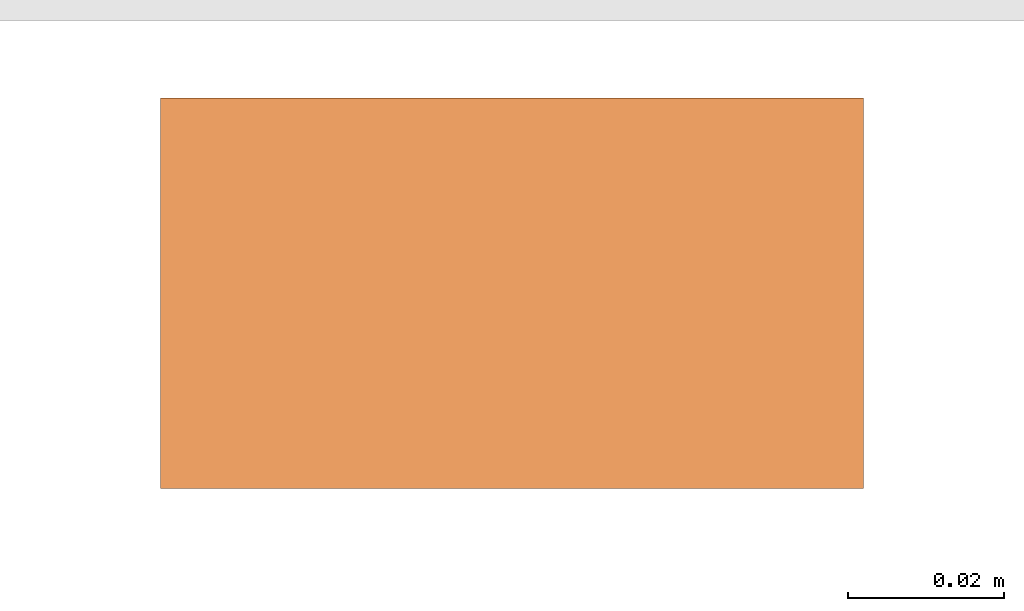
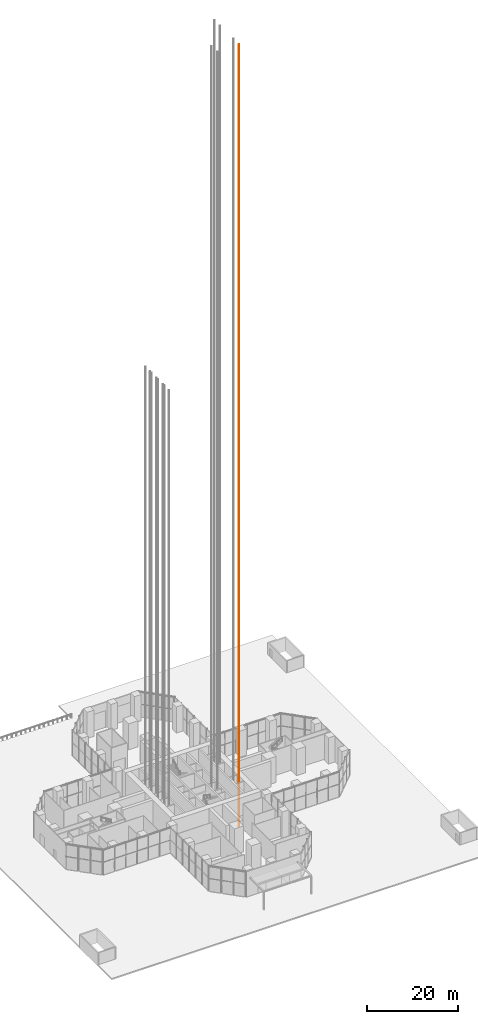
# One storey, part 40 of 43: 1 proxy.
"""IFC4 building model written with IfcOpenShell, lengths in metres."""

from ifc_helpers import new_model, si_unit, direction, frame, origin, origin_2d, place, context, subcontext, project, spatial, rectangle, extrude, material, element, save


model = new_model("IFC4")

# Units and contexts
model_context = context("Model", 3, precision=1e-05, world=origin(), true_north=direction((0.0, 1.0)))
body_context = subcontext(model_context, "Body", "Model", "MODEL_VIEW")
ifc_project = project(units=[si_unit("LENGTHUNIT", "METRE"), si_unit("AREAUNIT", "SQUARE_METRE"), si_unit("VOLUMEUNIT", "CUBIC_METRE"), si_unit("PLANEANGLEUNIT", "RADIAN"), si_unit("MASSUNIT", "GRAM", prefix="KILO")], contexts=[model_context])

# Site, building, storey
site_placement = place(None, origin())
site = spatial("IfcSite", under=ifc_project, at=site_placement, CompositionType="ELEMENT")
building_placement = place(site_placement, origin())
building = spatial("IfcBuilding", under=site, at=building_placement, Name="Mizan Broadcast Tower", CompositionType="ELEMENT")
storey_placement = place(building_placement, origin())
storey = spatial("IfcBuildingStorey", under=building, at=storey_placement, Name="L00", CompositionType="ELEMENT", Elevation=0.0)

# Proxy
ifc_material = material(Name="Steel guide rail", Category="steel")
proxy_placement = place(storey_placement, frame((8.800048828125, -5.409912109375, -5.0), z_axis=(0.0, 0.0, 1.0), x_axis=(1.0, 0.0, 0.0)))
element("IfcBuildingElementProxy", 1, at=proxy_placement, inside=storey, material=ifc_material, Name="Guide rail SH2-1", PredefinedType="NOTDEFINED", context=body_context, shape_type="SweptSolid", body=[
    extrude(rectangle(XDim=0.090087890625, YDim=0.050048828125, at=origin_2d()), origin(), (0.0, 0.0, 1.0), 209.719970703125),
])

save(model, "model.ifc")
